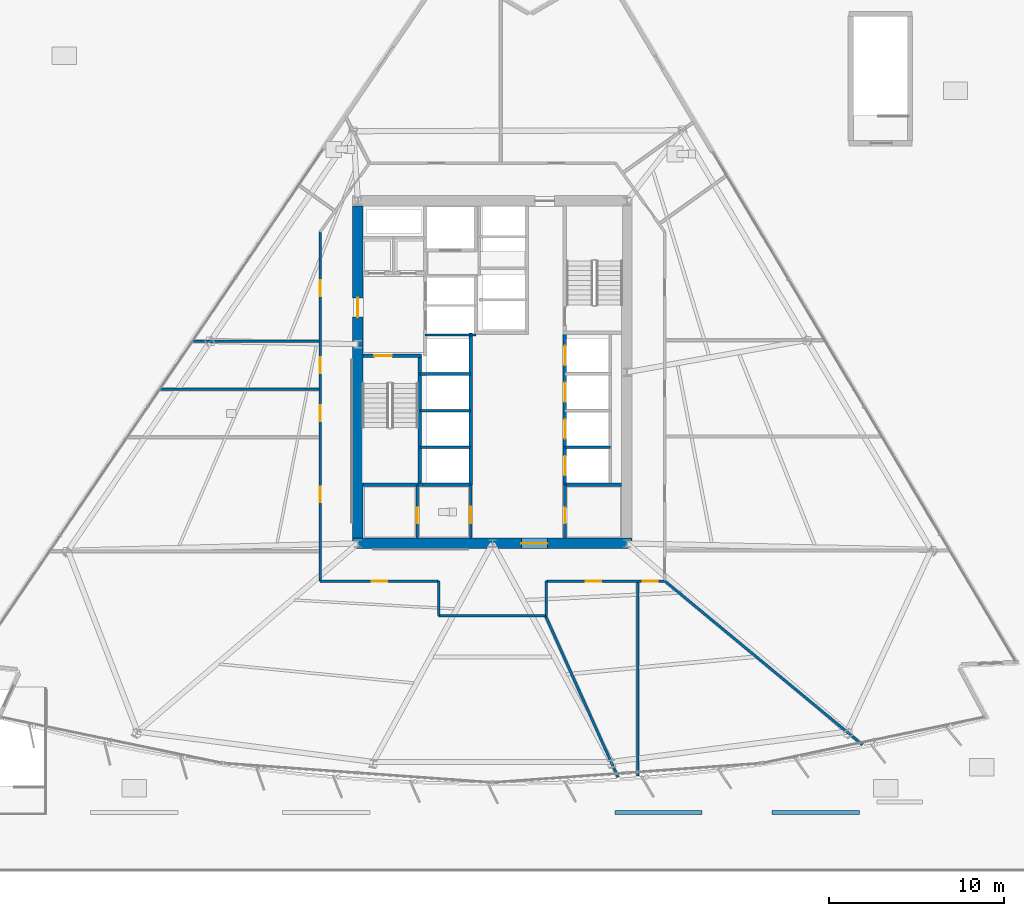
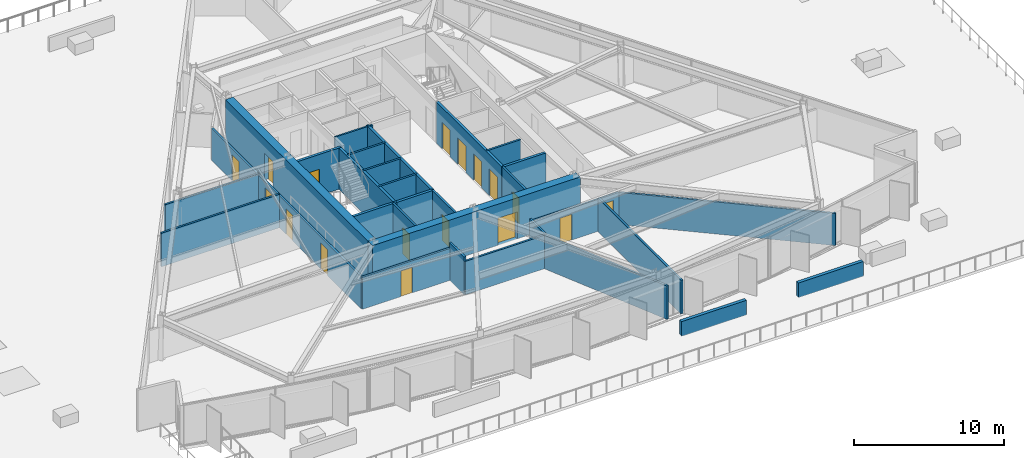
# One storey, part 8 of 19: 30 walls, 17 doors, 17 openings.
"""IFC4 building model written with IfcOpenShell, lengths in metres."""

from ifc_helpers import new_model, si_unit, direction, frame, frame_2d, origin, place, context, subcontext, project, spatial, rectangle, extrude, material, layer, layer_set, type_object, element, fill, save


model = new_model("IFC4")

# Units and contexts
model_context = context("Model", 3, precision=1e-05, world=origin(), true_north=direction((0.0, 1.0)))
body_context = subcontext(model_context, "Body", "Model", "MODEL_VIEW")
ifc_project = project(units=[si_unit("LENGTHUNIT", "METRE"), si_unit("AREAUNIT", "SQUARE_METRE"), si_unit("VOLUMEUNIT", "CUBIC_METRE"), si_unit("PLANEANGLEUNIT", "RADIAN"), si_unit("MASSUNIT", "GRAM", prefix="KILO")], contexts=[model_context])

# Site, building, storey
site_placement = place(None, origin())
site = spatial("IfcSite", under=ifc_project, at=site_placement, CompositionType="ELEMENT")
building_placement = place(site_placement, origin())
building = spatial("IfcBuilding", under=site, at=building_placement, Name="Savorim Split Tower", CompositionType="ELEMENT")
storey_placement = place(building_placement, frame((0.0, 0.0, 26.39990234375)))
storey = spatial("IfcBuildingStorey", under=building, at=storey_placement, Name="L06", CompositionType="ELEMENT", Elevation=26.39990234375)

# Wall, opening, door
ifc_material_1 = material(Name="Concrete C60/75", Category="concrete")
ifc_layer_1 = layer(ifc_material_1, 0.60009765625)
ifc_layer_set_1 = layer_set([ifc_layer_1], Name="WAL-COR-SH600")
wall_type_1 = type_object("IfcWallType", Name="WAL-COR-SH600", PredefinedType="SHEAR", material=ifc_layer_set_1)
wall_1_placement = place(storey_placement, frame((-8.0, -9.39990234375, 0.0), z_axis=(0.0, 0.0, 1.0), x_axis=(1.0, 0.0, 0.0)))
wall_1 = element("IfcWall", 1, at=wall_1_placement, inside=storey, type_object=wall_type_1, Name="L06 Offset Core South Shear Wall", PredefinedType="SHEAR", context=body_context, shape_type="SweptSolid", body=[
    extrude(rectangle(XDim=16.0, YDim=0.60009765625, at=frame_2d((8.0, 0.0))), origin(), (0.0, 0.0, 1.0), 3.35009765625),
])
opening_1_placement = place(wall_1_placement, frame((9.64990234375, 0.0, 0.0)))
opening_1 = element("IfcOpeningElement", 2, at=opening_1_placement, cuts=wall_1, Name="Opening DI-02", PredefinedType="OPENING", context=body_context, shape_type="SweptSolid", body=[
    extrude(rectangle(XDim=1.5, YDim=2.199951171875, at=frame_2d((0.75, 1.10009765625))), frame((0.0, 0.31005859375, 0.0), z_axis=(0.0, -1.0, 0.0), x_axis=(1.0, 0.0, 0.0)), (0.0, 0.0, 1.0), 0.6201171875),
])
ifc_material_2 = material(Name="Timber Fire Door Leaf", Category="wood")
door_type_1 = type_object("IfcDoorType", Name="DOR-DBL-1500", OperationType="NOTDEFINED", PredefinedType="DOOR", material=ifc_material_2)
door_1_placement = place(opening_1_placement, origin())
door_1 = element("IfcDoor", 3, at=door_1_placement, inside=storey, type_object=door_type_1, Name="DOR-L06-COR-LLOB - L06 Lift Lobby Main Rated Door", OperationType="DOUBLE_DOOR_SINGLE_SWING", OverallHeight=2.199951171875, OverallWidth=1.5, PredefinedType="DOOR", context=body_context, shape_type="SweptSolid", body=[
    extrude(rectangle(XDim=1.5, YDim=2.199951171875, at=frame_2d((0.75, 1.10009765625))), frame((0.0, 0.02490234375, 0.0), z_axis=(0.0, -1.0, 0.0), x_axis=(1.0, 0.0, 0.0)), (0.0, 0.0, 1.0), 0.050048828125),
])
fill(opening_1, door_1)

wall_2_placement = place(storey_placement, frame((-7.699951171875, -9.10009765625, 0.0), z_axis=(0.0, 0.0, 1.0), x_axis=(0.0, 1.0, 0.0)))
wall_2 = element("IfcWall", 4, at=wall_2_placement, inside=storey, type_object=wall_type_1, Name="L06 Offset Core West Shear Wall", PredefinedType="SHEAR", context=body_context, shape_type="SweptSolid", body=[
    extrude(rectangle(XDim=19.0, YDim=0.60009765625, at=frame_2d((9.5, 0.0))), origin(), (0.0, 0.0, 1.0), 3.35009765625),
])
opening_2_placement = place(wall_2_placement, frame((12.64990234375, 0.0, 0.0)))
opening_2 = element("IfcOpeningElement", 5, at=opening_2_placement, cuts=wall_2, Name="Opening DI-03", PredefinedType="OPENING", context=body_context, shape_type="SweptSolid", body=[
    extrude(rectangle(XDim=1.10009765625, YDim=2.14990234375, at=frame_2d((0.550048828125, 1.074951171875))), frame((0.0, 0.31005859375, 0.0), z_axis=(0.0, -1.0, 0.0), x_axis=(1.0, 0.0, 0.0)), (0.0, 0.0, 1.0), 0.6201171875),
])
door_type_2 = type_object("IfcDoorType", Name="DOR-FIR-1100", OperationType="NOTDEFINED", PredefinedType="DOOR", material=ifc_material_2)
door_2_placement = place(opening_2_placement, origin())
door_2 = element("IfcDoor", 6, at=door_2_placement, inside=storey, type_object=door_type_2, Name="DOR-L06-COR-FFLOB - L06 Firefighting Lobby Corridor Door", OperationType="SINGLE_SWING_RIGHT", OverallHeight=2.14990234375, OverallWidth=1.10009765625, PredefinedType="DOOR", context=body_context, shape_type="SweptSolid", body=[
    extrude(rectangle(XDim=1.10009765625, YDim=2.14990234375, at=frame_2d((0.550048828125, 1.074951171875))), frame((0.0, 0.02490234375, 0.0), z_axis=(0.0, -1.0, 0.0), x_axis=(1.0, 0.0, 0.0)), (0.0, 0.0, 1.0), 0.050048828125),
])
fill(opening_2, door_2)

ifc_material_3 = material(Name="Concrete C50/60", Category="concrete")
ifc_layer_2 = layer(ifc_material_3, 0.199951171875)
ifc_layer_set_2 = layer_set([ifc_layer_2], Name="WAL-INT-RC200")
wall_type_2 = type_object("IfcWallType", Name="WAL-INT-RC200", PredefinedType="SOLIDWALL", material=ifc_layer_set_2)
wall_3_placement = place(storey_placement, frame((-7.39990234375, 1.35009765625, 0.0), z_axis=(0.0, 0.0, 1.0), x_axis=(1.0, 0.0, 0.0)))
wall_3 = element("IfcWall", 7, at=wall_3_placement, inside=storey, type_object=wall_type_2, Name="L06 Structural Shaft Wall W-L06-CR01", PredefinedType="SOLIDWALL", context=body_context, shape_type="SweptSolid", body=[
    extrude(rectangle(XDim=3.349853515625, YDim=0.199951171875, at=frame_2d((1.6748046875, 0.0))), origin(), (0.0, 0.0, 1.0), 3.35009765625),
])
opening_3_placement = place(wall_3_placement, frame((0.64990234375, 0.0, 0.0)))
opening_3 = element("IfcOpeningElement", 8, at=opening_3_placement, cuts=wall_3, Name="Opening DI-04", PredefinedType="OPENING", context=body_context, shape_type="SweptSolid", body=[
    extrude(rectangle(XDim=1.0, YDim=2.14990234375, at=frame_2d((0.5, 1.074951171875))), frame((0.0, 0.10986328125, 0.0), z_axis=(0.0, -1.0, 0.0), x_axis=(1.0, 0.0, 0.0)), (0.0, 0.0, 1.0), 0.219970703125),
])
door_type_3 = type_object("IfcDoorType", Name="DOR-FIR-1000", OperationType="NOTDEFINED", PredefinedType="DOOR", material=ifc_material_2)
door_3_placement = place(opening_3_placement, origin())
door_3 = element("IfcDoor", 9, at=door_3_placement, inside=storey, type_object=door_type_3, Name="DR-L06-ST1 - L06 Stair ST-1 Enclosure Door", OperationType="SINGLE_SWING_LEFT", OverallHeight=2.14990234375, OverallWidth=1.0, PredefinedType="DOOR", context=body_context, shape_type="SweptSolid", body=[
    extrude(rectangle(XDim=1.0, YDim=2.14990234375, at=frame_2d((0.5, 1.074951171875))), frame((0.0, 0.02490234375, 0.0), z_axis=(0.0, -1.0, 0.0), x_axis=(1.0, 0.0, 0.0)), (0.0, 0.0, 1.0), 0.050048828125),
])
fill(opening_3, door_3)

# Wall
wall_4_placement = place(storey_placement, frame((-4.14990234375, -5.949951171875, 0.0), z_axis=(0.0, 0.0, 1.0), x_axis=(0.0, 1.0, 0.0)))
element("IfcWall", 10, at=wall_4_placement, inside=storey, type_object=wall_type_2, Name="L06 Structural Shaft Wall W-L06-CR02", PredefinedType="SOLIDWALL", context=body_context, shape_type="SweptSolid", body=[
    extrude(rectangle(XDim=7.199951171875, YDim=0.199951171875, at=frame_2d((3.60009765625, 0.0))), origin(), (0.0, 0.0, 1.0), 3.35009765625),
])

# Wall, openings, doors
wall_5_placement = place(storey_placement, frame((4.14990234375, -6.050048828125, 0.0), z_axis=(0.0, 0.0, 1.0), x_axis=(0.0, 1.0, 0.0)))
wall_5 = element("IfcWall", 11, at=wall_5_placement, inside=storey, type_object=wall_type_2, Name="L06 Partition W-L06-B1FRONT", PredefinedType="SOLIDWALL", context=body_context, shape_type="SweptSolid", body=[
    extrude(rectangle(XDim=8.699951171875, YDim=0.199951171875, at=frame_2d((4.35009765625, 0.0))), origin(), (0.0, 0.0, 1.0), 3.35009765625),
])
opening_4_placement = place(wall_5_placement, frame((0.550048828125, 0.0, 0.0)))
opening_4 = element("IfcOpeningElement", 12, at=opening_4_placement, cuts=wall_5, Name="Opening LD-01", PredefinedType="OPENING", context=body_context, shape_type="SweptSolid", body=[
    extrude(rectangle(XDim=1.10009765625, YDim=2.14990234375, at=frame_2d((0.550048828125, 1.074951171875))), frame((0.0, 0.10986328125, 0.0), z_axis=(0.0, -1.0, 0.0), x_axis=(1.0, 0.0, 0.0)), (0.0, 0.0, 1.0), 0.219970703125),
])
opening_5_placement = place(wall_5_placement, frame((2.64990234375, 0.0, 0.0)))
opening_5 = element("IfcOpeningElement", 13, at=opening_5_placement, cuts=wall_5, Name="Opening LD-01", PredefinedType="OPENING", context=body_context, shape_type="SweptSolid", body=[
    extrude(rectangle(XDim=1.10009765625, YDim=2.14990234375, at=frame_2d((0.550048828125, 1.074951171875))), frame((0.0, 0.10986328125, 0.0), z_axis=(0.0, -1.0, 0.0), x_axis=(1.0, 0.0, 0.0)), (0.0, 0.0, 1.0), 0.219970703125),
])
opening_6_placement = place(wall_5_placement, frame((4.75, 0.0, 0.0)))
opening_6 = element("IfcOpeningElement", 14, at=opening_6_placement, cuts=wall_5, Name="Opening LD-01", PredefinedType="OPENING", context=body_context, shape_type="SweptSolid", body=[
    extrude(rectangle(XDim=1.10009765625, YDim=2.14990234375, at=frame_2d((0.550048828125, 1.074951171875))), frame((0.0, 0.10986328125, 0.0), z_axis=(0.0, -1.0, 0.0), x_axis=(1.0, 0.0, 0.0)), (0.0, 0.0, 1.0), 0.219970703125),
])
opening_7_placement = place(wall_5_placement, frame((6.85009765625, 0.0, 0.0)))
opening_7 = element("IfcOpeningElement", 15, at=opening_7_placement, cuts=wall_5, Name="Opening LD-01", PredefinedType="OPENING", context=body_context, shape_type="SweptSolid", body=[
    extrude(rectangle(XDim=1.10009765625, YDim=2.14990234375, at=frame_2d((0.550048828125, 1.074951171875))), frame((0.0, 0.10986328125, 0.0), z_axis=(0.0, -1.0, 0.0), x_axis=(1.0, 0.0, 0.0)), (0.0, 0.0, 1.0), 0.219970703125),
])
ifc_material_4 = material(Name="Charcoal Anodised Aluminium", Category="aluminium")
door_type_4 = type_object("IfcDoorType", Name="DOR-SLD-LD1100", OperationType="NOTDEFINED", PredefinedType="DOOR", material=ifc_material_4)
door_4_placement = place(opening_4_placement, origin())
door_4 = element("IfcDoor", 16, at=door_4_placement, inside=storey, type_object=door_type_4, Name="DR-L06-LD-PLL1 - L06 Lift PL-L1 Sliding Landing Door", OperationType="DOUBLE_DOOR_SLIDING", OverallHeight=2.14990234375, OverallWidth=1.10009765625, PredefinedType="DOOR", context=body_context, shape_type="SweptSolid", body=[
    extrude(rectangle(XDim=1.10009765625, YDim=2.14990234375, at=frame_2d((0.550048828125, 1.074951171875))), frame((0.0, 0.02490234375, 0.0), z_axis=(0.0, -1.0, 0.0), x_axis=(1.0, 0.0, 0.0)), (0.0, 0.0, 1.0), 0.050048828125),
])
fill(opening_4, door_4)
door_5_placement = place(opening_5_placement, origin())
door_5 = element("IfcDoor", 17, at=door_5_placement, inside=storey, type_object=door_type_4, Name="DR-L06-LD-PLL2 - L06 Lift PL-L2 Sliding Landing Door", OperationType="DOUBLE_DOOR_SLIDING", OverallHeight=2.14990234375, OverallWidth=1.10009765625, PredefinedType="DOOR", context=body_context, shape_type="SweptSolid", body=[
    extrude(rectangle(XDim=1.10009765625, YDim=2.14990234375, at=frame_2d((0.550048828125, 1.074951171875))), frame((0.0, 0.02490234375, 0.0), z_axis=(0.0, -1.0, 0.0), x_axis=(1.0, 0.0, 0.0)), (0.0, 0.0, 1.0), 0.050048828125),
])
fill(opening_5, door_5)
door_6_placement = place(opening_6_placement, origin())
door_6 = element("IfcDoor", 18, at=door_6_placement, inside=storey, type_object=door_type_4, Name="DR-L06-LD-PLL3 - L06 Lift PL-L3 Sliding Landing Door", OperationType="DOUBLE_DOOR_SLIDING", OverallHeight=2.14990234375, OverallWidth=1.10009765625, PredefinedType="DOOR", context=body_context, shape_type="SweptSolid", body=[
    extrude(rectangle(XDim=1.10009765625, YDim=2.14990234375, at=frame_2d((0.550048828125, 1.074951171875))), frame((0.0, 0.02490234375, 0.0), z_axis=(0.0, -1.0, 0.0), x_axis=(1.0, 0.0, 0.0)), (0.0, 0.0, 1.0), 0.050048828125),
])
fill(opening_6, door_6)
door_7_placement = place(opening_7_placement, origin())
door_7 = element("IfcDoor", 19, at=door_7_placement, inside=storey, type_object=door_type_4, Name="DR-L06-LD-PLL4 - L06 Lift PL-L4 Sliding Landing Door", OperationType="DOUBLE_DOOR_SLIDING", OverallHeight=2.14990234375, OverallWidth=1.10009765625, PredefinedType="DOOR", context=body_context, shape_type="SweptSolid", body=[
    extrude(rectangle(XDim=1.10009765625, YDim=2.14990234375, at=frame_2d((0.550048828125, 1.074951171875))), frame((0.0, 0.02490234375, 0.0), z_axis=(0.0, -1.0, 0.0), x_axis=(1.0, 0.0, 0.0)), (0.0, 0.0, 1.0), 0.050048828125),
])
fill(opening_7, door_7)

# Walls
wall_6_placement = place(storey_placement, frame((-1.25, -6.050048828125, 0.0), z_axis=(0.0, 0.0, 1.0), x_axis=(0.0, 1.0, 0.0)))
element("IfcWall", 20, at=wall_6_placement, inside=storey, type_object=wall_type_2, Name="L06 Partition W-L06-B2FRONT", PredefinedType="SOLIDWALL", context=body_context, shape_type="SweptSolid", body=[
    extrude(rectangle(XDim=8.699951171875, YDim=0.199951171875, at=frame_2d((4.35009765625, 0.0))), origin(), (0.0, 0.0, 1.0), 3.35009765625),
])
wall_7_placement = place(storey_placement, frame((-7.39990234375, -6.050048828125, 0.0), z_axis=(0.0, 0.0, 1.0), x_axis=(1.0, 0.0, 0.0)))
element("IfcWall", 21, at=wall_7_placement, inside=storey, type_object=wall_type_2, Name="L06 Structural Shaft Wall W-L06-KSEP-W", PredefinedType="SOLIDWALL", context=body_context, shape_type="SweptSolid", body=[
    extrude(rectangle(XDim=3.349853515625, YDim=0.199951171875, at=frame_2d((1.6748046875, 0.0))), origin(), (0.0, 0.0, 1.0), 3.35009765625),
])
wall_8_placement = place(storey_placement, frame((-4.0400390625, -6.050048828125, 0.0), z_axis=(0.0, 0.0, 1.0), x_axis=(1.0, 0.0, 0.0)))
element("IfcWall", 22, at=wall_8_placement, inside=storey, type_object=wall_type_2, Name="L06 Partition W-L06-KSEP-W2", PredefinedType="SOLIDWALL", context=body_context, shape_type="SweptSolid", body=[
    extrude(rectangle(XDim=2.7900390625, YDim=0.199951171875, at=frame_2d((1.39501953125, 0.0))), origin(), (0.0, 0.0, 1.0), 3.35009765625),
])
wall_9_placement = place(storey_placement, frame((4.14990234375, -6.050048828125, 0.0), z_axis=(0.0, 0.0, 1.0), x_axis=(1.0, 0.0, 0.0)))
element("IfcWall", 23, at=wall_9_placement, inside=storey, type_object=wall_type_2, Name="L06 Partition W-L06-KSEP-E", PredefinedType="SOLIDWALL", context=body_context, shape_type="SweptSolid", body=[
    extrude(rectangle(XDim=3.2451171875, YDim=0.199951171875, at=frame_2d((1.62255859375, 0.0))), origin(), (0.0, 0.0, 1.0), 3.35009765625),
])
ifc_material_5 = material(Name="Acoustic Gypsum Partition Board")
ifc_layer_3 = layer(ifc_material_5, 0.1201171875)
ifc_layer_set_3 = layer_set([ifc_layer_3], Name="WAL-PAR-120")
wall_type_3 = type_object("IfcWallType", Name="WAL-PAR-120", PredefinedType="PARTITIONING", material=ifc_layer_set_3)
wall_10_placement = place(storey_placement, frame((-3.85009765625, 2.52001953125, 0.0), z_axis=(0.0, 0.0, 1.0), x_axis=(1.0, 0.0, 0.0)))
element("IfcWall", 24, at=wall_10_placement, inside=storey, type_object=wall_type_3, Name="L06 Partition W-L06-FFLD0", PredefinedType="PARTITIONING", context=body_context, shape_type="SweptSolid", body=[
    extrude(rectangle(XDim=2.900146484375, YDim=0.1201171875, at=frame_2d((1.4501953125, 0.0))), origin(), (0.0, 0.0, 1.0), 3.35009765625),
])
ifc_layer_4 = layer(ifc_material_5, 0.14990234375)
ifc_layer_set_4 = layer_set([ifc_layer_4], Name="WAL-PAR-150")
wall_type_4 = type_object("IfcWallType", Name="WAL-PAR-150", PredefinedType="PARTITIONING", material=ifc_layer_set_4)
wall_11_placement = place(storey_placement, frame((4.14990234375, -3.89990234375, 0.0), z_axis=(0.0, 0.0, 1.0), x_axis=(1.0, 0.0, 0.0)))
element("IfcWall", 25, at=wall_11_placement, inside=storey, type_object=wall_type_4, Name="L06 Partition W-L06-B1DIV1", PredefinedType="PARTITIONING", context=body_context, shape_type="SweptSolid", body=[
    extrude(rectangle(XDim=2.60009765625, YDim=0.14990234375, at=frame_2d((1.300048828125, 0.0))), origin(), (0.0, 0.0, 1.0), 3.35009765625),
])
for number, where, z_axis, x_axis, name in (
    (26, (-4.14990234375, -3.89990234375, 0.0), (0.0, 0.0, 1.0), (1.0, 0.0, 0.0), "L06 Partition W-L06-B2DIV1"),
    (27, (-4.14990234375, -1.800048828125, 0.0), (0.0, 0.0, 1.0), (1.0, 0.0, 0.0), "L06 Partition W-L06-B2DIV2"),
    (28, (-4.14990234375, 0.300048828125, 0.0), (0.0, 0.0, 1.0), (1.0, 0.0, 0.0), "L06 Partition W-L06-B2DIV3"),
):
    element("IfcWall", number, at=place(storey_placement, frame(where, z_axis=z_axis, x_axis=x_axis)), inside=storey, type_object=wall_type_4, Name=name, PredefinedType="PARTITIONING", context=body_context, shape_type="SweptSolid", body=[
        extrude(rectangle(XDim=2.89990234375, YDim=0.14990234375, at=frame_2d((1.449951171875, 0.0))), origin(), (0.0, 0.0, 1.0), 3.35009765625),
    ])

# Wall, opening, door
wall_12_placement = place(storey_placement, frame((-1.25, -9.094970703125, 0.0), z_axis=(0.0, 0.0, 1.0), x_axis=(0.0, 1.0, 0.0)))
wall_12 = element("IfcWall", 29, at=wall_12_placement, inside=storey, type_object=wall_type_4, Name="L06 Partition W-L06-KLOB-W", PredefinedType="PARTITIONING", context=body_context, shape_type="SweptSolid", body=[
    extrude(rectangle(XDim=3.044921875, YDim=0.14990234375, at=frame_2d((1.5224609375, 0.0))), origin(), (0.0, 0.0, 1.0), 3.35009765625),
])
opening_8_placement = place(wall_12_placement, frame((0.844970703125, 0.0, 0.0)))
opening_8 = element("IfcOpeningElement", 30, at=opening_8_placement, cuts=wall_12, Name="Opening DI-10", PredefinedType="OPENING", context=body_context, shape_type="SweptSolid", body=[
    extrude(rectangle(XDim=0.949951171875, YDim=2.10009765625, at=frame_2d((0.47509765625, 1.050048828125))), frame((0.0, 0.0849609375, 0.0), z_axis=(0.0, -1.0, 0.0), x_axis=(1.0, 0.0, 0.0)), (0.0, 0.0, 1.0), 0.169921875),
])
ifc_material_6 = material(Name="Oak Veneer Acoustic Door")
door_type_5 = type_object("IfcDoorType", Name="DOR-WC-950", OperationType="NOTDEFINED", PredefinedType="DOOR", material=ifc_material_6)
door_8_placement = place(opening_8_placement, origin())
door_8 = element("IfcDoor", 31, at=door_8_placement, inside=storey, type_object=door_type_5, Name="DR-L06-K1WC - L06 Core Accessible WC Door", OperationType="SINGLE_SWING_LEFT", OverallHeight=2.10009765625, OverallWidth=0.949951171875, PredefinedType="DOOR", context=body_context, shape_type="SweptSolid", body=[
    extrude(rectangle(XDim=0.949951171875, YDim=2.10009765625, at=frame_2d((0.47509765625, 1.050048828125))), frame((0.0, 0.02490234375, 0.0), z_axis=(0.0, -1.0, 0.0), x_axis=(1.0, 0.0, 0.0)), (0.0, 0.0, 1.0), 0.050048828125),
])
fill(opening_8, door_8)

wall_13_placement = place(storey_placement, frame((4.14990234375, -9.094970703125, 0.0), z_axis=(0.0, 0.0, 1.0), x_axis=(0.0, 1.0, 0.0)))
wall_13 = element("IfcWall", 32, at=wall_13_placement, inside=storey, type_object=wall_type_4, Name="L06 Partition W-L06-KLOB-E", PredefinedType="PARTITIONING", context=body_context, shape_type="SweptSolid", body=[
    extrude(rectangle(XDim=3.044921875, YDim=0.14990234375, at=frame_2d((1.5224609375, 0.0))), origin(), (0.0, 0.0, 1.0), 3.35009765625),
])
opening_9_placement = place(wall_13_placement, frame((0.844970703125, 0.0, 0.0)))
opening_9 = element("IfcOpeningElement", 33, at=opening_9_placement, cuts=wall_13, Name="Opening DI-06", PredefinedType="OPENING", context=body_context, shape_type="SweptSolid", body=[
    extrude(rectangle(XDim=0.89990234375, YDim=2.10009765625, at=frame_2d((0.449951171875, 1.050048828125))), frame((0.0, 0.0849609375, 0.0), z_axis=(0.0, -1.0, 0.0), x_axis=(1.0, 0.0, 0.0)), (0.0, 0.0, 1.0), 0.169921875),
])
door_type_6 = type_object("IfcDoorType", Name="DOR-FIR-900", OperationType="NOTDEFINED", PredefinedType="DOOR", material=ifc_material_2)
door_9_placement = place(opening_9_placement, origin())
door_9 = element("IfcDoor", 34, at=door_9_placement, inside=storey, type_object=door_type_6, Name="DR-L06-K1IT - L06 Core IT Room Door", OperationType="SINGLE_SWING_LEFT", OverallHeight=2.10009765625, OverallWidth=0.89990234375, PredefinedType="DOOR", context=body_context, shape_type="SweptSolid", body=[
    extrude(rectangle(XDim=0.89990234375, YDim=2.10009765625, at=frame_2d((0.449951171875, 1.050048828125))), frame((0.0, 0.02490234375, 0.0), z_axis=(0.0, -1.0, 0.0), x_axis=(1.0, 0.0, 0.0)), (0.0, 0.0, 1.0), 0.050048828125),
])
fill(opening_9, door_9)

wall_14_placement = place(storey_placement, frame((-4.300048828125, -9.094970703125, 0.0), z_axis=(0.0, 0.0, 1.0), x_axis=(0.0, 1.0, 0.0)))
wall_14 = element("IfcWall", 35, at=wall_14_placement, inside=storey, type_object=wall_type_4, Name="L06 Partition W-L06-K1W", PredefinedType="PARTITIONING", context=body_context, shape_type="SweptSolid", body=[
    extrude(rectangle(XDim=3.044921875, YDim=0.14990234375, at=frame_2d((1.5224609375, 0.0))), origin(), (0.0, 0.0, 1.0), 3.35009765625),
])
opening_10_placement = place(wall_14_placement, frame((0.844970703125, 0.0, 0.0)))
opening_10 = element("IfcOpeningElement", 36, at=opening_10_placement, cuts=wall_14, Name="Opening DI-06", PredefinedType="OPENING", context=body_context, shape_type="SweptSolid", body=[
    extrude(rectangle(XDim=0.89990234375, YDim=2.10009765625, at=frame_2d((0.449951171875, 1.050048828125))), frame((0.0, 0.0849609375, 0.0), z_axis=(0.0, -1.0, 0.0), x_axis=(1.0, 0.0, 0.0)), (0.0, 0.0, 1.0), 0.169921875),
])
door_10_placement = place(opening_10_placement, origin())
door_10 = element("IfcDoor", 37, at=door_10_placement, inside=storey, type_object=door_type_6, Name="DR-L06-K1HK - L06 Housekeeping Store Door", OperationType="SINGLE_SWING_RIGHT", OverallHeight=2.10009765625, OverallWidth=0.89990234375, PredefinedType="DOOR", context=body_context, shape_type="SweptSolid", body=[
    extrude(rectangle(XDim=0.89990234375, YDim=2.10009765625, at=frame_2d((0.449951171875, 1.050048828125))), frame((0.0, 0.02490234375, 0.0), z_axis=(0.0, -1.0, 0.0), x_axis=(1.0, 0.0, 0.0)), (0.0, 0.0, 1.0), 0.050048828125),
])
fill(opening_10, door_10)

# Wall, openings, doors
wall_15_placement = place(storey_placement, frame((-9.860107421875, -11.56005859375, 0.0), z_axis=(0.0, 0.0, 1.0), x_axis=(0.0, 1.0, 0.0)))
wall_15 = element("IfcWall", 38, at=wall_15_placement, inside=storey, type_object=wall_type_4, Name="L06 Partition W-L06-COR-01", PredefinedType="PARTITIONING", context=body_context, shape_type="SweptSolid", body=[
    extrude(rectangle(XDim=19.98583984375, YDim=0.14990234375, at=frame_2d((9.992919921875, 0.0))), origin(), (0.0, 0.0, 1.0), 2.609130859375),
])
opening_11_placement = place(wall_15_placement, frame((9.15478515625, 0.0, 0.0)))
opening_11 = element("IfcOpeningElement", 39, at=opening_11_placement, cuts=wall_15, Name="Opening DI-06", PredefinedType="OPENING", context=body_context, shape_type="SweptSolid", body=[
    extrude(rectangle(XDim=0.89990234375, YDim=2.10009765625, at=frame_2d((0.449951171875, 1.050048828125))), frame((0.0, 0.0849609375, 0.0), z_axis=(0.0, -1.0, 0.0), x_axis=(1.0, 0.0, 0.0)), (0.0, 0.0, 1.0), 0.169921875),
])
opening_12_placement = place(wall_15_placement, frame((4.51708984375, 0.0, 0.0)))
opening_12 = element("IfcOpeningElement", 40, at=opening_12_placement, cuts=wall_15, Name="Opening DI-06", PredefinedType="OPENING", context=body_context, shape_type="SweptSolid", body=[
    extrude(rectangle(XDim=0.89990234375, YDim=2.10009765625, at=frame_2d((0.449951171875, 1.050048828125))), frame((0.0, 0.0849609375, 0.0), z_axis=(0.0, -1.0, 0.0), x_axis=(1.0, 0.0, 0.0)), (0.0, 0.0, 1.0), 0.169921875),
])
opening_13_placement = place(wall_15_placement, frame((16.319091796875, 0.0, 0.0)))
opening_13 = element("IfcOpeningElement", 41, at=opening_13_placement, cuts=wall_15, Name="Opening DI-06", PredefinedType="OPENING", context=body_context, shape_type="SweptSolid", body=[
    extrude(rectangle(XDim=0.89990234375, YDim=2.10009765625, at=frame_2d((0.449951171875, 1.050048828125))), frame((0.0, 0.0849609375, 0.0), z_axis=(0.0, -1.0, 0.0), x_axis=(1.0, 0.0, 0.0)), (0.0, 0.0, 1.0), 0.169921875),
])
opening_14_placement = place(wall_15_placement, frame((11.905517578125, 0.0, 0.0)))
opening_14 = element("IfcOpeningElement", 42, at=opening_14_placement, cuts=wall_15, Name="Opening DI-06", PredefinedType="OPENING", context=body_context, shape_type="SweptSolid", body=[
    extrude(rectangle(XDim=0.89990234375, YDim=2.10009765625, at=frame_2d((0.449951171875, 1.050048828125))), frame((0.0, 0.0849609375, 0.0), z_axis=(0.0, -1.0, 0.0), x_axis=(1.0, 0.0, 0.0)), (0.0, 0.0, 1.0), 0.169921875),
])
door_11_placement = place(opening_11_placement, origin())
door_11 = element("IfcDoor", 43, at=door_11_placement, inside=storey, type_object=door_type_6, Name="DR-L06-RM01 - L06 Shared Kitchen Entry Door", OperationType="SINGLE_SWING_RIGHT", OverallHeight=2.10009765625, OverallWidth=0.89990234375, PredefinedType="DOOR", context=body_context, shape_type="SweptSolid", body=[
    extrude(rectangle(XDim=0.89990234375, YDim=2.10009765625, at=frame_2d((0.449951171875, 1.050048828125))), frame((0.0, 0.02490234375, 0.0), z_axis=(0.0, -1.0, 0.0), x_axis=(1.0, 0.0, 0.0)), (0.0, 0.0, 1.0), 0.050048828125),
])
fill(opening_11, door_11)
door_12_placement = place(opening_12_placement, origin())
door_12 = element("IfcDoor", 44, at=door_12_placement, inside=storey, type_object=door_type_6, Name="DR-L06-RM02 - L06 Maker Workshop Entry Door", OperationType="SINGLE_SWING_LEFT", OverallHeight=2.10009765625, OverallWidth=0.89990234375, PredefinedType="DOOR", context=body_context, shape_type="SweptSolid", body=[
    extrude(rectangle(XDim=0.89990234375, YDim=2.10009765625, at=frame_2d((0.449951171875, 1.050048828125))), frame((0.0, 0.02490234375, 0.0), z_axis=(0.0, -1.0, 0.0), x_axis=(1.0, 0.0, 0.0)), (0.0, 0.0, 1.0), 0.050048828125),
])
fill(opening_12, door_12)
door_13_placement = place(opening_13_placement, origin())
door_13 = element("IfcDoor", 45, at=door_13_placement, inside=storey, type_object=door_type_6, Name="DR-L06-RM14 - L06 Co-Living Bedroom Entry Door", OperationType="SINGLE_SWING_LEFT", OverallHeight=2.10009765625, OverallWidth=0.89990234375, PredefinedType="DOOR", context=body_context, shape_type="SweptSolid", body=[
    extrude(rectangle(XDim=0.89990234375, YDim=2.10009765625, at=frame_2d((0.449951171875, 1.050048828125))), frame((0.0, 0.02490234375, 0.0), z_axis=(0.0, -1.0, 0.0), x_axis=(1.0, 0.0, 0.0)), (0.0, 0.0, 1.0), 0.050048828125),
])
fill(opening_13, door_13)
door_14_placement = place(opening_14_placement, origin())
door_14 = element("IfcDoor", 46, at=door_14_placement, inside=storey, type_object=door_type_6, Name="DR-L06-RM15 - L06 Co-Living Bedroom Entry Door", OperationType="SINGLE_SWING_RIGHT", OverallHeight=2.10009765625, OverallWidth=0.89990234375, PredefinedType="DOOR", context=body_context, shape_type="SweptSolid", body=[
    extrude(rectangle(XDim=0.89990234375, YDim=2.10009765625, at=frame_2d((0.449951171875, 1.050048828125))), frame((0.0, 0.02490234375, 0.0), z_axis=(0.0, -1.0, 0.0), x_axis=(1.0, 0.0, 0.0)), (0.0, 0.0, 1.0), 0.050048828125),
])
fill(opening_14, door_14)

wall_16_placement = place(storey_placement, frame((9.860107421875, -11.56005859375, 0.0), z_axis=(0.0, 0.0, 1.0), x_axis=(-1.0, 0.0, 0.0)))
wall_16 = element("IfcWall", 47, at=wall_16_placement, inside=storey, type_object=wall_type_4, Name="L06 Partition W-L06-COR-06", PredefinedType="PARTITIONING", context=body_context, shape_type="SweptSolid", body=[
    extrude(rectangle(XDim=6.780029296875, YDim=0.14990234375, at=frame_2d((3.39013671875, 0.0))), origin(), (0.0, 0.0, 1.0), 2.609130859375),
])
opening_15_placement = place(wall_16_placement, frame((3.623779296875, 0.0, 0.0)))
opening_15 = element("IfcOpeningElement", 48, at=opening_15_placement, cuts=wall_16, Name="Opening DI-06", PredefinedType="OPENING", context=body_context, shape_type="SweptSolid", body=[
    extrude(rectangle(XDim=0.89990234375, YDim=2.10009765625, at=frame_2d((0.449951171875, 1.050048828125))), frame((0.0, 0.0849609375, 0.0), z_axis=(0.0, -1.0, 0.0), x_axis=(1.0, 0.0, 0.0)), (0.0, 0.0, 1.0), 0.169921875),
])
opening_16_placement = place(wall_16_placement, frame((0.412109375, 0.0, 0.0)))
opening_16 = element("IfcOpeningElement", 49, at=opening_16_placement, cuts=wall_16, Name="Opening DI-13", PredefinedType="OPENING", context=body_context, shape_type="SweptSolid", body=[
    extrude(rectangle(XDim=0.85009765625, YDim=2.10009765625, at=frame_2d((0.425048828125, 1.050048828125))), frame((0.0, 0.0849609375, 0.0), z_axis=(0.0, -1.0, 0.0), x_axis=(1.0, 0.0, 0.0)), (0.0, 0.0, 1.0), 0.169921875),
])
door_type_7 = type_object("IfcDoorType", Name="DOR-FIR-850", OperationType="NOTDEFINED", PredefinedType="DOOR", material=ifc_material_2)
door_15_placement = place(opening_16_placement, origin())
door_15 = element("IfcDoor", 50, at=door_15_placement, inside=storey, type_object=door_type_7, Name="DR-L06-RM05 - L06 Co-Working Commons Entry Door", OperationType="SINGLE_SWING_RIGHT", OverallHeight=2.10009765625, OverallWidth=0.85009765625, PredefinedType="DOOR", context=body_context, shape_type="SweptSolid", body=[
    extrude(rectangle(XDim=0.85009765625, YDim=2.10009765625, at=frame_2d((0.425048828125, 1.050048828125))), frame((0.0, 0.02490234375, 0.0), z_axis=(0.0, -1.0, 0.0), x_axis=(1.0, 0.0, 0.0)), (0.0, 0.0, 1.0), 0.050048828125),
])
fill(opening_16, door_15)
door_16_placement = place(opening_15_placement, origin())
door_16 = element("IfcDoor", 51, at=door_16_placement, inside=storey, type_object=door_type_6, Name="DR-L06-RM04 - L06 Quiet Study Room Entry Door", OperationType="SINGLE_SWING_LEFT", OverallHeight=2.10009765625, OverallWidth=0.89990234375, PredefinedType="DOOR", context=body_context, shape_type="SweptSolid", body=[
    extrude(rectangle(XDim=0.89990234375, YDim=2.10009765625, at=frame_2d((0.449951171875, 1.050048828125))), frame((0.0, 0.02490234375, 0.0), z_axis=(0.0, -1.0, 0.0), x_axis=(1.0, 0.0, 0.0)), (0.0, 0.0, 1.0), 0.050048828125),
])
fill(opening_15, door_16)

# Walls
wall_17_placement = place(storey_placement, frame((3.080078125, -11.56005859375, 0.0), z_axis=(0.0, 0.0, 1.0), x_axis=(0.0, -1.0, 0.0)))
element("IfcWall", 52, at=wall_17_placement, inside=storey, type_object=wall_type_4, Name="L06 Partition W-L06-COR-07", PredefinedType="PARTITIONING", context=body_context, shape_type="SweptSolid", body=[
    extrude(rectangle(XDim=1.969970703125, YDim=0.14990234375, at=frame_2d((0.98486328125, 0.0))), origin(), (0.0, 0.0, 1.0), 2.8251953125),
])
wall_18_placement = place(storey_placement, frame((3.080078125, -13.530029296875, 0.0), z_axis=(0.0, 0.0, 1.0), x_axis=(-1.0, 0.0, 0.0)))
element("IfcWall", 53, at=wall_18_placement, inside=storey, type_object=wall_type_4, Name="L06 Partition W-L06-COR-08", PredefinedType="PARTITIONING", context=body_context, shape_type="SweptSolid", body=[
    extrude(rectangle(XDim=6.16015625, YDim=0.14990234375, at=frame_2d((3.080078125, 0.0))), origin(), (0.0, 0.0, 1.0), 2.72509765625),
])
wall_19_placement = place(storey_placement, frame((-3.080078125, -13.530029296875, 0.0), z_axis=(0.0, 0.0, 1.0), x_axis=(0.0, 1.0, 0.0)))
element("IfcWall", 54, at=wall_19_placement, inside=storey, type_object=wall_type_4, Name="L06 Partition W-L06-COR-09", PredefinedType="PARTITIONING", context=body_context, shape_type="SweptSolid", body=[
    extrude(rectangle(XDim=1.969970703125, YDim=0.14990234375, at=frame_2d((0.98486328125, 0.0))), origin(), (0.0, 0.0, 1.0), 3.05517578125),
])

# Wall, opening, door
wall_20_placement = place(storey_placement, frame((-3.080078125, -11.56005859375, 0.0), z_axis=(0.0, 0.0, 1.0), x_axis=(-1.0, 0.0, 0.0)))
wall_20 = element("IfcWall", 55, at=wall_20_placement, inside=storey, type_object=wall_type_4, Name="L06 Partition W-L06-COR-10", PredefinedType="PARTITIONING", context=body_context, shape_type="SweptSolid", body=[
    extrude(rectangle(XDim=6.780029296875, YDim=0.14990234375, at=frame_2d((3.39013671875, 0.0))), origin(), (0.0, 0.0, 1.0), 2.609130859375),
])
opening_17_placement = place(wall_20_placement, frame((2.93994140625, 0.0, 0.0)))
opening_17 = element("IfcOpeningElement", 56, at=opening_17_placement, cuts=wall_20, Name="Opening DI-06", PredefinedType="OPENING", context=body_context, shape_type="SweptSolid", body=[
    extrude(rectangle(XDim=0.89990234375, YDim=2.10009765625, at=frame_2d((0.449951171875, 1.050048828125))), frame((0.0, 0.0849609375, 0.0), z_axis=(0.0, -1.0, 0.0), x_axis=(1.0, 0.0, 0.0)), (0.0, 0.0, 1.0), 0.169921875),
])
door_17_placement = place(opening_17_placement, origin())
door_17 = element("IfcDoor", 57, at=door_17_placement, inside=storey, type_object=door_type_6, Name="DR-L06-RM03 - L06 Co-Working Commons Entry Door", OperationType="SINGLE_SWING_RIGHT", OverallHeight=2.10009765625, OverallWidth=0.89990234375, PredefinedType="DOOR", context=body_context, shape_type="SweptSolid", body=[
    extrude(rectangle(XDim=0.89990234375, YDim=2.10009765625, at=frame_2d((0.449951171875, 1.050048828125))), frame((0.0, 0.02490234375, 0.0), z_axis=(0.0, -1.0, 0.0), x_axis=(1.0, 0.0, 0.0)), (0.0, 0.0, 1.0), 0.050048828125),
])
fill(opening_17, door_17)

# Walls
wall_21_placement = place(storey_placement, frame((3.053466796875, -13.5791015625, 0.0), z_axis=(0.0, 0.0, 1.0), x_axis=(0.409520551179, -0.912300892339, 0.0)))
element("IfcWall", 58, at=wall_21_placement, inside=storey, type_object=wall_type_4, Name="L06 Partition W-L06-PRAD03", PredefinedType="PARTITIONING", context=body_context, shape_type="SweptSolid", body=[
    extrude(rectangle(XDim=10.091796875, YDim=0.14990234375, at=frame_2d((5.0458984375, 0.0))), origin(), (0.0, 0.0, 1.0), 2.72509765625),
])
wall_22_placement = place(storey_placement, frame((9.88818359375, -11.568603515625, 0.0), z_axis=(0.0, 0.0, 1.0), x_axis=(0.77011992227, -0.637899134129, 0.0)))
element("IfcWall", 59, at=wall_22_placement, inside=storey, type_object=wall_type_4, Name="L06 Partition W-L06-PRAD04", PredefinedType="PARTITIONING", context=body_context, shape_type="SweptSolid", body=[
    extrude(rectangle(XDim=14.66650390625, YDim=0.14990234375, at=frame_2d((7.333251953125, 0.0))), origin(), (0.0, 0.0, 1.0), 2.609130859375),
])
wall_23_placement = place(storey_placement, frame((-9.919921875, 2.1708984375, 0.0), z_axis=(0.0, 0.0, 1.0), x_axis=(-1.0, 0.0, 0.0)))
element("IfcWall", 60, at=wall_23_placement, inside=storey, type_object=wall_type_4, Name="L06 Partition W-L06-PRAD09", PredefinedType="PARTITIONING", context=body_context, shape_type="SweptSolid", body=[
    extrude(rectangle(XDim=7.2001953125, YDim=0.14990234375, at=frame_2d((3.60009765625, 0.0))), origin(), (0.0, 0.0, 1.0), 2.72509765625),
])
wall_24_placement = place(storey_placement, frame((8.313720703125, -11.6201171875, 0.0), z_axis=(0.0, 0.0, 1.0), x_axis=(0.0, -1.0, 0.0)))
element("IfcWall", 61, at=wall_24_placement, inside=storey, type_object=wall_type_4, Name="L06 Partition W-L06-SUB02", PredefinedType="PARTITIONING", context=body_context, shape_type="SweptSolid", body=[
    extrude(rectangle(XDim=11.0849609375, YDim=0.14990234375, at=frame_2d((5.54248046875, 0.0))), origin(), (0.0, 0.0, 1.0), 2.735107421875),
])
wall_25_placement = place(storey_placement, frame((-9.919921875, -0.579833984375, 0.0), z_axis=(0.0, 0.0, 1.0), x_axis=(-1.0, 0.0, 0.0)))
element("IfcWall", 62, at=wall_25_placement, inside=storey, type_object=wall_type_4, Name="L06 Partition W-L06-SUB07", PredefinedType="PARTITIONING", context=body_context, shape_type="SweptSolid", body=[
    extrude(rectangle(XDim=9.071533203125, YDim=0.14990234375, at=frame_2d((4.53564453125, 0.0))), origin(), (0.0, 0.0, 1.0), 2.735107421875),
])
ifc_layer_5 = layer(ifc_material_3, 0.25)
ifc_layer_set_5 = layer_set([ifc_layer_5], Name="WAL-PAR-UP250")
wall_type_5 = type_object("IfcWallType", Name="WAL-PAR-UP250", PredefinedType="PARAPET", material=ifc_layer_set_5)
for number, where, z_axis, x_axis, name in (
    (63, (7.0, -24.800048828125, -0.0498046875), (0.0, 0.0, 1.0), (1.0, 0.0, 0.0), "L06 Garden Terrace Planter Parapet 3"),
    (64, (16.0, -24.800048828125, -0.0498046875), (0.0, 0.0, 1.0), (1.0, 0.0, 0.0), "L06 Garden Terrace Planter Parapet 4"),
):
    element("IfcWall", number, at=place(storey_placement, frame(where, z_axis=z_axis, x_axis=x_axis)), inside=storey, type_object=wall_type_5, Name=name, PredefinedType="PARAPET", context=body_context, shape_type="SweptSolid", body=[
        extrude(rectangle(XDim=5.0, YDim=0.25, at=frame_2d((2.5, 0.0))), origin(), (0.0, 0.0, 1.0), 1.199951171875),
    ])

save(model, "model.ifc")
